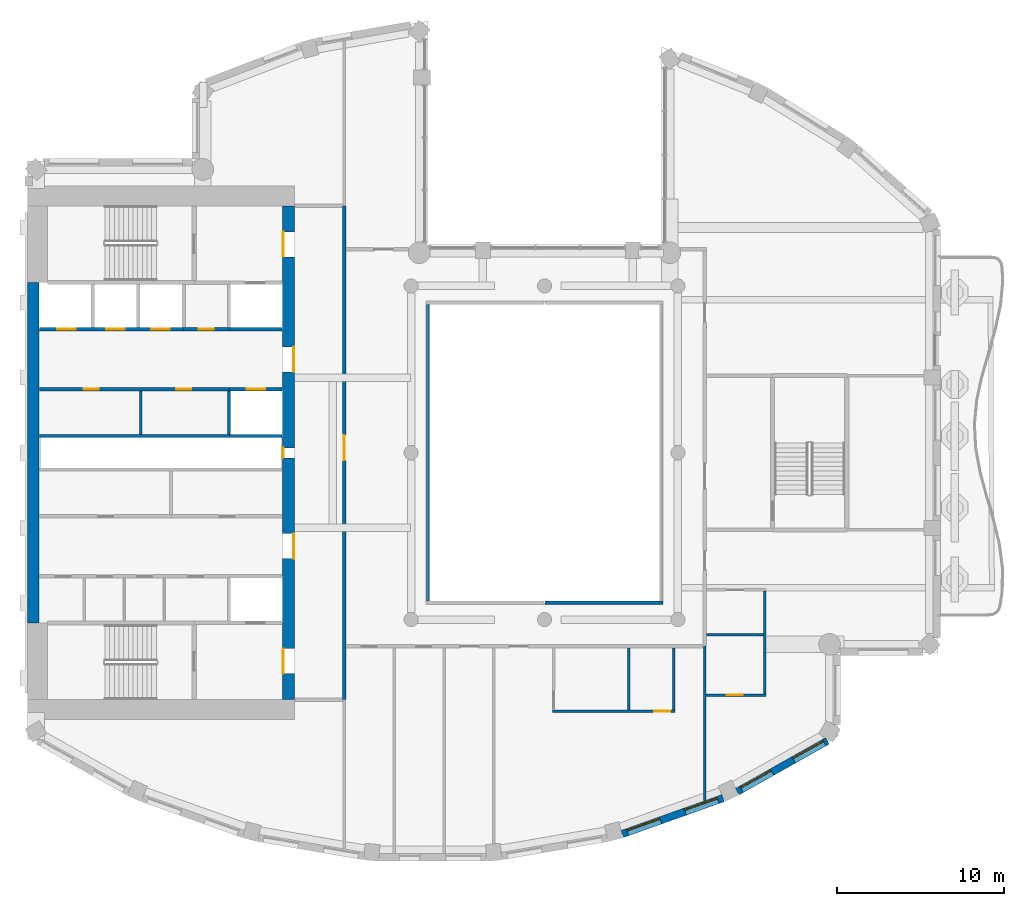
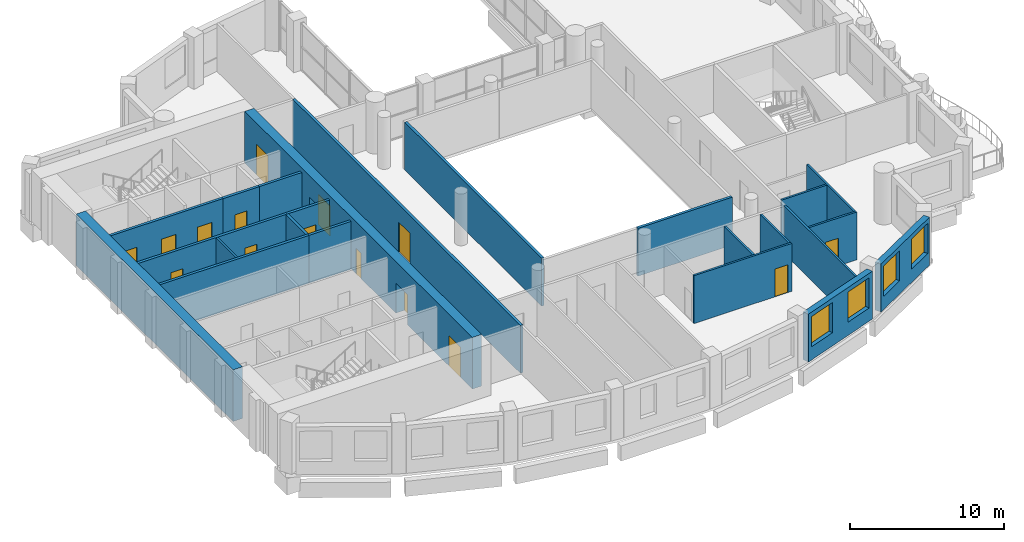
# One storey, part 6 of 15: 23 walls, 15 doors, 4 windows, 19 openings.
"""IFC4 building model written with IfcOpenShell, lengths in metres."""

from ifc_helpers import new_model, si_unit, direction, frame, frame_2d, origin, place, context, subcontext, project, spatial, rectangle, extrude, material, layer, layer_set, type_object, element, fill, save


model = new_model("IFC4")

# Units and contexts
model_context = context("Model", 3, precision=1e-05, world=origin(), true_north=direction((0.0, 1.0)))
body_context = subcontext(model_context, "Body", "Model", "MODEL_VIEW")
ifc_project = project(units=[si_unit("LENGTHUNIT", "METRE"), si_unit("AREAUNIT", "SQUARE_METRE"), si_unit("VOLUMEUNIT", "CUBIC_METRE"), si_unit("PLANEANGLEUNIT", "RADIAN"), si_unit("MASSUNIT", "GRAM", prefix="KILO")], contexts=[model_context])

# Site, building, storey
site_placement = place(None, origin())
site = spatial("IfcSite", under=ifc_project, at=site_placement, CompositionType="ELEMENT")
building_placement = place(site_placement, origin())
building = spatial("IfcBuilding", under=site, at=building_placement, Name="Cypress Arch Tower", CompositionType="ELEMENT")
storey_placement = place(building_placement, frame((0.0, 0.0, 243.39990234375)))
storey = spatial("IfcBuildingStorey", under=building, at=storey_placement, Name="L54", CompositionType="ELEMENT", Elevation=243.39990234375)

# Wall, openings, windows
ifc_material_1 = material(Name="Brick (red buff blend)", Category="masonry")
ifc_layer_1 = layer(ifc_material_1, 0.449951171875)
ifc_layer_set_1 = layer_set([ifc_layer_1], Name="Brick pier and spandrel wall BW450")
wall_type_1 = type_object("IfcWallType", Name="Brick pier and spandrel wall BW450", PredefinedType="SOLIDWALL", material=ifc_layer_set_1)
wall_1_placement = place(storey_placement, frame((5.66455078125, -22.859375, 0.0), z_axis=(0.0, 0.0, 1.0), x_axis=(0.942108340262, 0.335308626803, 0.0)))
wall_1 = element("IfcWall", 1, at=wall_1_placement, inside=storey, type_object=wall_type_1, Name="Brick wall L54 C13.0", PredefinedType="SOLIDWALL", context=body_context, shape_type="SweptSolid", body=[
    extrude(rectangle(XDim=6.41162109375, YDim=0.449951171875, at=frame_2d((3.205810546875, 0.0))), origin(), (0.0, 0.0, 1.0), 3.800048828125),
])
opening_1_placement = place(wall_1_placement, frame((0.3271484375, 0.0, 1.050048828125)))
opening_1 = element("IfcOpeningElement", 2, at=opening_1_placement, cuts=wall_1, Name="Opening W210O", PredefinedType="OPENING", context=body_context, shape_type="SweptSolid", body=[
    extrude(rectangle(XDim=2.10009765625, YDim=2.39990234375, at=frame_2d((1.050048828125, 1.199951171875))), frame((0.0, 0.23486328125, 0.0), z_axis=(0.0, -1.0, 0.0), x_axis=(1.0, 0.0, 0.0)), (0.0, 0.0, 1.0), 0.469970703125),
])
opening_2_placement = place(wall_1_placement, frame((3.984619140625, 0.0, 1.050048828125)))
opening_2 = element("IfcOpeningElement", 3, at=opening_2_placement, cuts=wall_1, Name="Opening W210O", PredefinedType="OPENING", context=body_context, shape_type="SweptSolid", body=[
    extrude(rectangle(XDim=2.10009765625, YDim=2.39990234375, at=frame_2d((1.050048828125, 1.199951171875))), frame((0.0, 0.23486328125, 0.0), z_axis=(0.0, -1.0, 0.0), x_axis=(1.0, 0.0, 0.0)), (0.0, 0.0, 1.0), 0.469970703125),
])
ifc_material_2 = material(Name="Anodised aluminium, bronze finish, clear low-emissivity double glazing", Category="aluminium")
window_type = type_object("IfcWindowType", Name="Window Office 2100x2400", PartitioningType="SINGLE_PANEL", PredefinedType="WINDOW", material=ifc_material_2)
window_1_placement = place(opening_1_placement, origin())
window_1 = element("IfcWindow", 4, at=window_1_placement, inside=storey, type_object=window_type, Name="Window L54 C13.0.1", OverallHeight=2.39990234375, OverallWidth=2.10009765625, PartitioningType="SINGLE_PANEL", PredefinedType="WINDOW", context=body_context, shape_type="SweptSolid", body=[
    extrude(rectangle(XDim=2.10009765625, YDim=2.39990234375, at=frame_2d((1.050048828125, 1.199951171875))), frame((0.0, 0.135009765625, 0.0), z_axis=(0.0, -1.0, 0.0), x_axis=(1.0, 0.0, 0.0)), (0.0, 0.0, 1.0), 0.06005859375),
])
fill(opening_1, window_1)
window_2_placement = place(opening_2_placement, origin())
window_2 = element("IfcWindow", 5, at=window_2_placement, inside=storey, type_object=window_type, Name="Window L54 C13.0.2", OverallHeight=2.39990234375, OverallWidth=2.10009765625, PartitioningType="SINGLE_PANEL", PredefinedType="WINDOW", context=body_context, shape_type="SweptSolid", body=[
    extrude(rectangle(XDim=2.10009765625, YDim=2.39990234375, at=frame_2d((1.050048828125, 1.199951171875))), frame((0.0, 0.135009765625, 0.0), z_axis=(0.0, -1.0, 0.0), x_axis=(1.0, 0.0, 0.0)), (0.0, 0.0, 1.0), 0.06005859375),
])
fill(opening_2, window_2)

wall_2_placement = place(storey_placement, frame((12.55908203125, -20.320068359375, 0.0), z_axis=(0.0, 0.0, 1.0), x_axis=(0.871065783524, 0.491166367714, 0.0)))
wall_2 = element("IfcWall", 6, at=wall_2_placement, inside=storey, type_object=wall_type_1, Name="Brick wall L54 C14.0", PredefinedType="SOLIDWALL", context=body_context, shape_type="SweptSolid", body=[
    extrude(rectangle(XDim=6.1962890625, YDim=0.449951171875, at=frame_2d((3.09814453125, 0.0))), origin(), (0.0, 0.0, 1.0), 3.800048828125),
])
opening_3_placement = place(wall_2_placement, frame((0.29052734375, 0.0, 1.050048828125)))
opening_3 = element("IfcOpeningElement", 7, at=opening_3_placement, cuts=wall_2, Name="Opening W210O", PredefinedType="OPENING", context=body_context, shape_type="SweptSolid", body=[
    extrude(rectangle(XDim=2.10009765625, YDim=2.39990234375, at=frame_2d((1.050048828125, 1.199951171875))), frame((0.0, 0.23486328125, 0.0), z_axis=(0.0, -1.0, 0.0), x_axis=(1.0, 0.0, 0.0)), (0.0, 0.0, 1.0), 0.469970703125),
])
opening_4_placement = place(wall_2_placement, frame((3.875244140625, 0.0, 1.050048828125)))
opening_4 = element("IfcOpeningElement", 8, at=opening_4_placement, cuts=wall_2, Name="Opening W210O", PredefinedType="OPENING", context=body_context, shape_type="SweptSolid", body=[
    extrude(rectangle(XDim=2.10009765625, YDim=2.39990234375, at=frame_2d((1.050048828125, 1.199951171875))), frame((0.0, 0.23486328125, 0.0), z_axis=(0.0, -1.0, 0.0), x_axis=(1.0, 0.0, 0.0)), (0.0, 0.0, 1.0), 0.469970703125),
])
window_3_placement = place(opening_3_placement, origin())
window_3 = element("IfcWindow", 9, at=window_3_placement, inside=storey, type_object=window_type, Name="Window L54 C14.0.1", OverallHeight=2.39990234375, OverallWidth=2.10009765625, PartitioningType="SINGLE_PANEL", PredefinedType="WINDOW", context=body_context, shape_type="SweptSolid", body=[
    extrude(rectangle(XDim=2.10009765625, YDim=2.39990234375, at=frame_2d((1.050048828125, 1.199951171875))), frame((0.0, 0.135009765625, 0.0), z_axis=(0.0, -1.0, 0.0), x_axis=(1.0, 0.0, 0.0)), (0.0, 0.0, 1.0), 0.06005859375),
])
fill(opening_3, window_3)
window_4_placement = place(opening_4_placement, origin())
window_4 = element("IfcWindow", 10, at=window_4_placement, inside=storey, type_object=window_type, Name="Window L54 C14.0.2", OverallHeight=2.39990234375, OverallWidth=2.10009765625, PartitioningType="SINGLE_PANEL", PredefinedType="WINDOW", context=body_context, shape_type="SweptSolid", body=[
    extrude(rectangle(XDim=2.10009765625, YDim=2.39990234375, at=frame_2d((1.050048828125, 1.199951171875))), frame((0.0, 0.135009765625, 0.0), z_axis=(0.0, -1.0, 0.0), x_axis=(1.0, 0.0, 0.0)), (0.0, 0.0, 1.0), 0.06005859375),
])
fill(opening_4, window_4)

# Wall, openings, doors
ifc_material_3 = material(Name="Concrete C60/75", Category="concrete")
ifc_layer_2 = layer(ifc_material_3, 0.699951171875)
ifc_layer_set_2 = layer_set([ifc_layer_2], Name="Core wall CW700 C60/75")
wall_type_2 = type_object("IfcWallType", Name="Core wall CW700 C60/75", PredefinedType="SHEAR", material=ifc_layer_set_2)
wall_3_placement = place(storey_placement, frame((-14.35009765625, -14.800048828125, 0.0), z_axis=(0.0, 0.0, 1.0), x_axis=(0.0, 1.0, 0.0)))
wall_3 = element("IfcWall", 11, at=wall_3_placement, inside=storey, type_object=wall_type_2, Name="Core wall", PredefinedType="SHEAR", context=body_context, shape_type="SweptSolid", body=[
    extrude(rectangle(XDim=29.60009765625, YDim=0.699951171875, at=frame_2d((14.800048828125, 0.0))), origin(), (0.0, 0.0, 1.0), 4.10009765625),
])
opening_5_placement = place(wall_3_placement, frame((1.550048828125, 0.0, 0.0)))
opening_5 = element("IfcOpeningElement", 12, at=opening_5_placement, cuts=wall_3, Name="Opening D07", PredefinedType="OPENING", context=body_context, shape_type="SweptSolid", body=[
    extrude(rectangle(XDim=1.5, YDim=2.39990234375, at=frame_2d((0.75, 1.199951171875))), frame((0.0, 0.35986328125, 0.0), z_axis=(0.0, -1.0, 0.0), x_axis=(1.0, 0.0, 0.0)), (0.0, 0.0, 1.0), 0.719970703125),
])
opening_6_placement = place(wall_3_placement, frame((26.550048828125, 0.0, 0.0)))
opening_6 = element("IfcOpeningElement", 13, at=opening_6_placement, cuts=wall_3, Name="Opening D07", PredefinedType="OPENING", context=body_context, shape_type="SweptSolid", body=[
    extrude(rectangle(XDim=1.5, YDim=2.39990234375, at=frame_2d((0.75, 1.199951171875))), frame((0.0, 0.35986328125, 0.0), z_axis=(0.0, -1.0, 0.0), x_axis=(1.0, 0.0, 0.0)), (0.0, 0.0, 1.0), 0.719970703125),
])
opening_7_placement = place(wall_3_placement, frame((8.449951171875, 0.0, 0.0)))
opening_7 = element("IfcOpeningElement", 14, at=opening_7_placement, cuts=wall_3, Name="Opening D07", PredefinedType="OPENING", context=body_context, shape_type="SweptSolid", body=[
    extrude(rectangle(XDim=1.5, YDim=2.39990234375, at=frame_2d((0.75, 1.199951171875))), frame((0.0, 0.35986328125, 0.0), z_axis=(0.0, -1.0, 0.0), x_axis=(1.0, 0.0, 0.0)), (0.0, 0.0, 1.0), 0.719970703125),
])
opening_8_placement = place(wall_3_placement, frame((19.64990234375, 0.0, 0.0)))
opening_8 = element("IfcOpeningElement", 15, at=opening_8_placement, cuts=wall_3, Name="Opening D07", PredefinedType="OPENING", context=body_context, shape_type="SweptSolid", body=[
    extrude(rectangle(XDim=1.5, YDim=2.39990234375, at=frame_2d((0.75, 1.199951171875))), frame((0.0, 0.35986328125, 0.0), z_axis=(0.0, -1.0, 0.0), x_axis=(1.0, 0.0, 0.0)), (0.0, 0.0, 1.0), 0.719970703125),
])
opening_9_placement = place(wall_3_placement, frame((14.5, 0.0, 0.0)))
opening_9 = element("IfcOpeningElement", 16, at=opening_9_placement, cuts=wall_3, Name="Opening D08", PredefinedType="OPENING", context=body_context, shape_type="SweptSolid", body=[
    extrude(rectangle(XDim=0.60009765625, YDim=2.0, at=frame_2d((0.300048828125, 1.0))), frame((0.0, 0.35986328125, 0.0), z_axis=(0.0, -1.0, 0.0), x_axis=(1.0, 0.0, 0.0)), (0.0, 0.0, 1.0), 0.719970703125),
])
ifc_material_4 = material(Name="Steel framed glazed door, fire resisting", Category="steel")
door_type_1 = type_object("IfcDoorType", Name="Lobby door D07 1500x2400", OperationType="DOUBLE_DOOR_SINGLE_SWING", PredefinedType="DOOR", material=ifc_material_4)
door_1_placement = place(opening_5_placement, origin())
door_1 = element("IfcDoor", 17, at=door_1_placement, inside=storey, type_object=door_type_1, Name="Lobby door", OperationType="DOUBLE_DOOR_SINGLE_SWING", OverallHeight=2.39990234375, OverallWidth=1.5, PredefinedType="DOOR", context=body_context, shape_type="SweptSolid", body=[
    extrude(rectangle(XDim=1.5, YDim=2.39990234375, at=frame_2d((0.75, 1.199951171875))), frame((0.0, 0.34521484375, 0.0), z_axis=(0.0, -1.0, 0.0), x_axis=(1.0, 0.0, 0.0)), (0.0, 0.0, 1.0), 0.050048828125),
])
fill(opening_5, door_1)
door_2_placement = place(opening_6_placement, origin())
door_2 = element("IfcDoor", 18, at=door_2_placement, inside=storey, type_object=door_type_1, Name="Lobby door", OperationType="DOUBLE_DOOR_SINGLE_SWING", OverallHeight=2.39990234375, OverallWidth=1.5, PredefinedType="DOOR", context=body_context, shape_type="SweptSolid", body=[
    extrude(rectangle(XDim=1.5, YDim=2.39990234375, at=frame_2d((0.75, 1.199951171875))), frame((0.0, 0.34521484375, 0.0), z_axis=(0.0, -1.0, 0.0), x_axis=(1.0, 0.0, 0.0)), (0.0, 0.0, 1.0), 0.050048828125),
])
fill(opening_6, door_2)
door_3_placement = place(opening_7_placement, origin())
door_3 = element("IfcDoor", 19, at=door_3_placement, inside=storey, type_object=door_type_1, Name="Lobby door", OperationType="DOUBLE_DOOR_SINGLE_SWING", OverallHeight=2.39990234375, OverallWidth=1.5, PredefinedType="DOOR", context=body_context, shape_type="SweptSolid", body=[
    extrude(rectangle(XDim=1.5, YDim=2.39990234375, at=frame_2d((0.75, 1.199951171875))), frame((0.0, -0.294921875, 0.0), z_axis=(0.0, -1.0, 0.0), x_axis=(1.0, 0.0, 0.0)), (0.0, 0.0, 1.0), 0.050048828125),
])
fill(opening_7, door_3)
door_4_placement = place(opening_8_placement, origin())
door_4 = element("IfcDoor", 20, at=door_4_placement, inside=storey, type_object=door_type_1, Name="Lobby door", OperationType="DOUBLE_DOOR_SINGLE_SWING", OverallHeight=2.39990234375, OverallWidth=1.5, PredefinedType="DOOR", context=body_context, shape_type="SweptSolid", body=[
    extrude(rectangle(XDim=1.5, YDim=2.39990234375, at=frame_2d((0.75, 1.199951171875))), frame((0.0, -0.294921875, 0.0), z_axis=(0.0, -1.0, 0.0), x_axis=(1.0, 0.0, 0.0)), (0.0, 0.0, 1.0), 0.050048828125),
])
fill(opening_8, door_4)
ifc_material_5 = material(Name="Steel access door, fire resisting", Category="steel")
door_type_2 = type_object("IfcDoorType", Name="Riser access door D08 600x2000", OperationType="SINGLE_SWING_LEFT", PredefinedType="DOOR", material=ifc_material_5)
door_5_placement = place(opening_9_placement, origin())
door_5 = element("IfcDoor", 21, at=door_5_placement, inside=storey, type_object=door_type_2, Name="Riser access door", OperationType="SINGLE_SWING_RIGHT", OverallHeight=2.0, OverallWidth=0.60009765625, PredefinedType="DOOR", context=body_context, shape_type="SweptSolid", body=[
    extrude(rectangle(XDim=0.60009765625, YDim=2.0, at=frame_2d((0.300048828125, 1.0))), frame((0.0, 0.34521484375, 0.0), z_axis=(0.0, -1.0, 0.0), x_axis=(1.0, 0.0, 0.0)), (0.0, 0.0, 1.0), 0.050048828125),
])
fill(opening_9, door_5)

# Wall
wall_4_placement = place(storey_placement, frame((-29.64990234375, -10.199951171875, 0.0), z_axis=(0.0, 0.0, 1.0), x_axis=(0.0, 1.0, 0.0)))
element("IfcWall", 22, at=wall_4_placement, inside=storey, type_object=wall_type_2, Name="Core wall", PredefinedType="SHEAR", context=body_context, shape_type="SweptSolid", body=[
    extrude(rectangle(XDim=20.39990234375, YDim=0.699951171875, at=frame_2d((10.199951171875, 0.0))), origin(), (0.0, 0.0, 1.0), 4.10009765625),
])

# Wall, openings, doors
ifc_material_6 = material(Name="Concrete blockwork, plastered, rated", Category="masonry")
ifc_layer_3 = layer(ifc_material_6, 0.199951171875)
ifc_layer_set_3 = layer_set([ifc_layer_3], Name="Corridor wall FW200")
wall_type_3 = type_object("IfcWallType", Name="Corridor wall FW200", PredefinedType="PARTITIONING", material=ifc_layer_set_3)
wall_5_placement = place(storey_placement, frame((-29.27001953125, 3.800048828125, 0.0), z_axis=(0.0, 0.0, 1.0), x_axis=(1.0, 0.0, 0.0)))
wall_5 = element("IfcWall", 23, at=wall_5_placement, inside=storey, type_object=wall_type_3, Name="Corridor wall", PredefinedType="PARTITIONING", context=body_context, shape_type="SweptSolid", body=[
    extrude(rectangle(XDim=11.3701171875, YDim=0.199951171875, at=frame_2d((5.68505859375, 0.0))), origin(), (0.0, 0.0, 1.0), 3.800048828125),
])
opening_10_placement = place(wall_5_placement, frame((2.64990234375, 0.0, 0.0)))
opening_10 = element("IfcOpeningElement", 24, at=opening_10_placement, cuts=wall_5, Name="Opening D05", PredefinedType="OPENING", context=body_context, shape_type="SweptSolid", body=[
    extrude(rectangle(XDim=0.89990234375, YDim=2.199951171875, at=frame_2d((0.449951171875, 1.10009765625))), frame((0.0, 0.10986328125, 0.0), z_axis=(0.0, -1.0, 0.0), x_axis=(1.0, 0.0, 0.0)), (0.0, 0.0, 1.0), 0.219970703125),
])
opening_11_placement = place(wall_5_placement, frame((8.199951171875, 0.0, 0.0)))
opening_11 = element("IfcOpeningElement", 25, at=opening_11_placement, cuts=wall_5, Name="Opening D05", PredefinedType="OPENING", context=body_context, shape_type="SweptSolid", body=[
    extrude(rectangle(XDim=0.89990234375, YDim=2.199951171875, at=frame_2d((0.449951171875, 1.10009765625))), frame((0.0, 0.10986328125, 0.0), z_axis=(0.0, -1.0, 0.0), x_axis=(1.0, 0.0, 0.0)), (0.0, 0.0, 1.0), 0.219970703125),
])
ifc_material_7 = material(Name="Timber flush door", Category="wood")
door_type_3 = type_object("IfcDoorType", Name="Service door D05 900x2200", OperationType="SINGLE_SWING_LEFT", PredefinedType="DOOR", material=ifc_material_7)
door_6_placement = place(opening_10_placement, origin())
door_6 = element("IfcDoor", 26, at=door_6_placement, inside=storey, type_object=door_type_3, Name="Service door", OperationType="SINGLE_SWING_LEFT", OverallHeight=2.199951171875, OverallWidth=0.89990234375, PredefinedType="DOOR", context=body_context, shape_type="SweptSolid", body=[
    extrude(rectangle(XDim=0.89990234375, YDim=2.199951171875, at=frame_2d((0.449951171875, 1.10009765625))), frame((0.0, 0.02490234375, 0.0), z_axis=(0.0, -1.0, 0.0), x_axis=(1.0, 0.0, 0.0)), (0.0, 0.0, 1.0), 0.050048828125),
])
fill(opening_10, door_6)
door_7_placement = place(opening_11_placement, origin())
door_7 = element("IfcDoor", 27, at=door_7_placement, inside=storey, type_object=door_type_3, Name="Service door", OperationType="SINGLE_SWING_RIGHT", OverallHeight=2.199951171875, OverallWidth=0.89990234375, PredefinedType="DOOR", context=body_context, shape_type="SweptSolid", body=[
    extrude(rectangle(XDim=0.89990234375, YDim=2.199951171875, at=frame_2d((0.449951171875, 1.10009765625))), frame((0.0, 0.02490234375, 0.0), z_axis=(0.0, -1.0, 0.0), x_axis=(1.0, 0.0, 0.0)), (0.0, 0.0, 1.0), 0.050048828125),
])
fill(opening_11, door_7)

# Wall, opening, door
wall_6_placement = place(storey_placement, frame((-20.639892578125, 7.39990234375, 0.0), z_axis=(0.0, 0.0, 1.0), x_axis=(1.0, 0.0, 0.0)))
wall_6 = element("IfcWall", 28, at=wall_6_placement, inside=storey, type_object=wall_type_3, Name="Corridor wall", PredefinedType="PARTITIONING", context=body_context, shape_type="SweptSolid", body=[
    extrude(rectangle(XDim=2.719970703125, YDim=0.199951171875, at=frame_2d((1.35986328125, 0.0))), origin(), (0.0, 0.0, 1.0), 3.800048828125),
])
opening_12_placement = place(wall_6_placement, frame((0.89990234375, 0.0, 0.0)))
opening_12 = element("IfcOpeningElement", 29, at=opening_12_placement, cuts=wall_6, Name="Opening D05", PredefinedType="OPENING", context=body_context, shape_type="SweptSolid", body=[
    extrude(rectangle(XDim=0.89990234375, YDim=2.199951171875, at=frame_2d((0.449951171875, 1.10009765625))), frame((0.0, 0.10986328125, 0.0), z_axis=(0.0, -1.0, 0.0), x_axis=(1.0, 0.0, 0.0)), (0.0, 0.0, 1.0), 0.219970703125),
])
door_8_placement = place(opening_12_placement, origin())
door_8 = element("IfcDoor", 30, at=door_8_placement, inside=storey, type_object=door_type_3, Name="Service door", OperationType="SINGLE_SWING_LEFT", OverallHeight=2.199951171875, OverallWidth=0.89990234375, PredefinedType="DOOR", context=body_context, shape_type="SweptSolid", body=[
    extrude(rectangle(XDim=0.89990234375, YDim=2.199951171875, at=frame_2d((0.449951171875, 1.10009765625))), frame((0.0, 0.02490234375, 0.0), z_axis=(0.0, -1.0, 0.0), x_axis=(1.0, 0.0, 0.0)), (0.0, 0.0, 1.0), 0.050048828125),
])
fill(opening_12, door_8)

wall_7_placement = place(storey_placement, frame((-11.0, -14.800048828125, 0.0), z_axis=(0.0, 0.0, 1.0), x_axis=(0.0, 1.0, 0.0)))
wall_7 = element("IfcWall", 31, at=wall_7_placement, inside=storey, type_object=wall_type_3, Name="Corridor wall", PredefinedType="PARTITIONING", context=body_context, shape_type="SweptSolid", body=[
    extrude(rectangle(XDim=29.60009765625, YDim=0.199951171875, at=frame_2d((14.800048828125, 0.0))), origin(), (0.0, 0.0, 1.0), 3.800048828125),
])
opening_13_placement = place(wall_7_placement, frame((14.35009765625, 0.0, 0.0)))
opening_13 = element("IfcOpeningElement", 32, at=opening_13_placement, cuts=wall_7, Name="Opening D07", PredefinedType="OPENING", context=body_context, shape_type="SweptSolid", body=[
    extrude(rectangle(XDim=1.5, YDim=2.39990234375, at=frame_2d((0.75, 1.199951171875))), frame((0.0, 0.10986328125, 0.0), z_axis=(0.0, -1.0, 0.0), x_axis=(1.0, 0.0, 0.0)), (0.0, 0.0, 1.0), 0.219970703125),
])
door_9_placement = place(opening_13_placement, origin())
door_9 = element("IfcDoor", 33, at=door_9_placement, inside=storey, type_object=door_type_1, Name="Lobby door", OperationType="DOUBLE_DOOR_SINGLE_SWING", OverallHeight=2.39990234375, OverallWidth=1.5, PredefinedType="DOOR", context=body_context, shape_type="SweptSolid", body=[
    extrude(rectangle(XDim=1.5, YDim=2.39990234375, at=frame_2d((0.75, 1.199951171875))), frame((0.0, 0.02490234375, 0.0), z_axis=(0.0, -1.0, 0.0), x_axis=(1.0, 0.0, 0.0)), (0.0, 0.0, 1.0), 0.050048828125),
])
fill(opening_13, door_9)

# Walls
wall_8_placement = place(storey_placement, frame((-6.0, -8.89990234375, 0.0), z_axis=(0.0, 0.0, 1.0), x_axis=(0.0, 1.0, 0.0)))
element("IfcWall", 34, at=wall_8_placement, inside=storey, type_object=wall_type_3, Name="Corridor wall", PredefinedType="PARTITIONING", context=body_context, shape_type="SweptSolid", body=[
    extrude(rectangle(XDim=17.7998046875, YDim=0.199951171875, at=frame_2d((8.89990234375, 0.0))), origin(), (0.0, 0.0, 1.0), 3.800048828125),
])
wall_9_placement = place(storey_placement, frame((1.02001953125, -9.0, 0.0), z_axis=(0.0, 0.0, 1.0), x_axis=(1.0, 0.0, 0.0)))
element("IfcWall", 35, at=wall_9_placement, inside=storey, type_object=wall_type_3, Name="Corridor wall", PredefinedType="PARTITIONING", context=body_context, shape_type="SweptSolid", body=[
    extrude(rectangle(XDim=7.080078125, YDim=0.199951171875, at=frame_2d((3.5400390625, 0.0))), origin(), (0.0, 0.0, 1.0), 3.800048828125),
])
ifc_material_8 = material(Name="Blockwork, plastered both sides", Category="masonry")
ifc_layer_4 = layer(ifc_material_8, 0.14990234375)
ifc_layer_set_4 = layer_set([ifc_layer_4], Name="Partition PW150")
wall_type_4 = type_object("IfcWallType", Name="Partition PW150", PredefinedType="PARTITIONING", material=ifc_layer_set_4)
wall_10_placement = place(storey_placement, frame((-23.199951171875, 1.10009765625, 0.0), z_axis=(0.0, 0.0, 1.0), x_axis=(0.0, 1.0, 0.0)))
element("IfcWall", 36, at=wall_10_placement, inside=storey, type_object=wall_type_4, Name="Partition", PredefinedType="PARTITIONING", context=body_context, shape_type="SweptSolid", body=[
    extrude(rectangle(XDim=2.599853515625, YDim=0.14990234375, at=frame_2d((1.2998046875, 0.0))), origin(), (0.0, 0.0, 1.0), 3.800048828125),
])

# Wall, opening, door
wall_11_placement = place(storey_placement, frame((1.47900390625, -15.5, 0.0), z_axis=(0.0, 0.0, 1.0), x_axis=(1.0, 0.0, 0.0)))
wall_11 = element("IfcWall", 37, at=wall_11_placement, inside=storey, type_object=wall_type_4, Name="Partition", PredefinedType="PARTITIONING", context=body_context, shape_type="SweptSolid", body=[
    extrude(rectangle(XDim=7.35009765625, YDim=0.14990234375, at=frame_2d((3.675048828125, 0.0))), origin(), (0.0, 0.0, 1.0), 3.800048828125),
])
opening_14_placement = place(wall_11_placement, frame((6.10009765625, 0.0, 0.0)))
opening_14 = element("IfcOpeningElement", 38, at=opening_14_placement, cuts=wall_11, Name="Opening D12", PredefinedType="OPENING", context=body_context, shape_type="SweptSolid", body=[
    extrude(rectangle(XDim=0.949951171875, YDim=2.199951171875, at=frame_2d((0.47509765625, 1.10009765625))), frame((0.0, 0.0849609375, 0.0), z_axis=(0.0, -1.0, 0.0), x_axis=(1.0, 0.0, 0.0)), (0.0, 0.0, 1.0), 0.169921875),
])
ifc_material_9 = material(Name="Timber flush door", Category="wood")
door_type_4 = type_object("IfcDoorType", Name="Room door D12 950x2200", OperationType="SINGLE_SWING_LEFT", PredefinedType="DOOR", material=ifc_material_9)
door_10_placement = place(opening_14_placement, origin())
door_10 = element("IfcDoor", 39, at=door_10_placement, inside=storey, type_object=door_type_4, Name="Room door", OperationType="SINGLE_SWING_LEFT", OverallHeight=2.199951171875, OverallWidth=0.949951171875, PredefinedType="DOOR", context=body_context, shape_type="SweptSolid", body=[
    extrude(rectangle(XDim=0.949951171875, YDim=2.199951171875, at=frame_2d((0.47509765625, 1.10009765625))), frame((0.0, 0.02490234375, 0.0), z_axis=(0.0, -1.0, 0.0), x_axis=(1.0, 0.0, 0.0)), (0.0, 0.0, 1.0), 0.050048828125),
])
fill(opening_14, door_10)

# Walls
for number, where, z_axis, x_axis, name in (
    (40, (6.053955078125, -15.425048828125, 0.0), (0.0, 0.0, 1.0), (0.0, 1.0, 0.0), "Partition"),
    (41, (8.75390625, -15.425048828125, 0.0), (0.0, 0.0, 1.0), (0.0, 1.0, 0.0), "Partition"),
):
    element("IfcWall", number, at=place(storey_placement, frame(where, z_axis=z_axis, x_axis=x_axis)), inside=storey, type_object=wall_type_4, Name=name, PredefinedType="PARTITIONING", context=body_context, shape_type="SweptSolid", body=[
        extrude(rectangle(XDim=3.72509765625, YDim=0.14990234375, at=frame_2d((1.862548828125, 0.0))), origin(), (0.0, 0.0, 1.0), 3.800048828125),
    ])
wall_12_placement = place(storey_placement, frame((10.60009765625, -20.864013671875, 0.0), z_axis=(0.0, 0.0, 1.0), x_axis=(0.0, 1.0, 0.0)))
element("IfcWall", 42, at=wall_12_placement, inside=storey, type_object=wall_type_4, Name="Partition", PredefinedType="PARTITIONING", context=body_context, shape_type="SweptSolid", body=[
    extrude(rectangle(XDim=9.263916015625, YDim=0.14990234375, at=frame_2d((4.6318359375, 0.0))), origin(), (0.0, 0.0, 1.0), 3.800048828125),
])

# Wall, opening, door
wall_13_placement = place(storey_placement, frame((10.675048828125, -14.52490234375, 0.0), z_axis=(0.0, 0.0, 1.0), x_axis=(1.0, 0.0, 0.0)))
wall_13 = element("IfcWall", 43, at=wall_13_placement, inside=storey, type_object=wall_type_4, Name="Partition", PredefinedType="PARTITIONING", context=body_context, shape_type="SweptSolid", body=[
    extrude(rectangle(XDim=3.599853515625, YDim=0.14990234375, at=frame_2d((1.7998046875, 0.0))), origin(), (0.0, 0.0, 1.0), 3.800048828125),
])
opening_15_placement = place(wall_13_placement, frame((1.25, 0.0, 0.0)))
opening_15 = element("IfcOpeningElement", 44, at=opening_15_placement, cuts=wall_13, Name="Opening D12", PredefinedType="OPENING", context=body_context, shape_type="SweptSolid", body=[
    extrude(rectangle(XDim=0.949951171875, YDim=2.199951171875, at=frame_2d((0.47509765625, 1.10009765625))), frame((0.0, 0.0849609375, 0.0), z_axis=(0.0, -1.0, 0.0), x_axis=(1.0, 0.0, 0.0)), (0.0, 0.0, 1.0), 0.169921875),
])
door_11_placement = place(opening_15_placement, origin())
door_11 = element("IfcDoor", 45, at=door_11_placement, inside=storey, type_object=door_type_4, Name="Room door", OperationType="SINGLE_SWING_RIGHT", OverallHeight=2.199951171875, OverallWidth=0.949951171875, PredefinedType="DOOR", context=body_context, shape_type="SweptSolid", body=[
    extrude(rectangle(XDim=0.949951171875, YDim=2.199951171875, at=frame_2d((0.47509765625, 1.10009765625))), frame((0.0, 0.02490234375, 0.0), z_axis=(0.0, -1.0, 0.0), x_axis=(1.0, 0.0, 0.0)), (0.0, 0.0, 1.0), 0.050048828125),
])
fill(opening_15, door_11)

# Walls
wall_14_placement = place(storey_placement, frame((10.699951171875, -10.925048828125, 0.0), z_axis=(0.0, 0.0, 1.0), x_axis=(1.0, 0.0, 0.0)))
element("IfcWall", 46, at=wall_14_placement, inside=storey, type_object=wall_type_4, Name="Partition", PredefinedType="PARTITIONING", context=body_context, shape_type="SweptSolid", body=[
    extrude(rectangle(XDim=3.425048828125, YDim=0.14990234375, at=frame_2d((1.71240234375, 0.0))), origin(), (0.0, 0.0, 1.0), 3.800048828125),
])
wall_15_placement = place(storey_placement, frame((14.199951171875, -14.449951171875, 0.0), z_axis=(0.0, 0.0, 1.0), x_axis=(0.0, 1.0, 0.0)))
element("IfcWall", 47, at=wall_15_placement, inside=storey, type_object=wall_type_4, Name="Partition", PredefinedType="PARTITIONING", context=body_context, shape_type="SweptSolid", body=[
    extrude(rectangle(XDim=6.14990234375, YDim=0.14990234375, at=frame_2d((3.074951171875, 0.0))), origin(), (0.0, 0.0, 1.0), 3.800048828125),
])
ifc_material_10 = material(Name="Reinforced blockwork, plastered, rated", Category="masonry")
ifc_layer_5 = layer(ifc_material_10, 0.199951171875)
ifc_layer_set_5 = layer_set([ifc_layer_5], Name="Plant and riser wall PL200")
wall_type_5 = type_object("IfcWallType", Name="Plant and riser wall PL200", PredefinedType="PARTITIONING", material=ifc_layer_set_5)
wall_16_placement = place(storey_placement, frame((-29.27001953125, 1.0, 0.0), z_axis=(0.0, 0.0, 1.0), x_axis=(1.0, 0.0, 0.0)))
element("IfcWall", 48, at=wall_16_placement, inside=storey, type_object=wall_type_5, Name="Plant and riser wall", PredefinedType="PARTITIONING", context=body_context, shape_type="SweptSolid", body=[
    extrude(rectangle(XDim=11.3701171875, YDim=0.199951171875, at=frame_2d((5.68505859375, 0.0))), origin(), (0.0, 0.0, 1.0), 3.800048828125),
])

# Wall, openings, doors
ifc_material_11 = material(Name="Concrete C50/60", Category="concrete")
ifc_layer_6 = layer(ifc_material_11, 0.199951171875)
ifc_layer_set_6 = layer_set([ifc_layer_6], Name="Shaft wall SH200")
wall_type_6 = type_object("IfcWallType", Name="Shaft wall SH200", PredefinedType="SHEAR", material=ifc_layer_set_6)
wall_17_placement = place(storey_placement, frame((-29.27001953125, 7.39990234375, 0.0), z_axis=(0.0, 0.0, 1.0), x_axis=(1.0, 0.0, 0.0)))
wall_17 = element("IfcWall", 49, at=wall_17_placement, inside=storey, type_object=wall_type_6, Name="Shaft wall", PredefinedType="SHEAR", context=body_context, shape_type="SweptSolid", body=[
    extrude(rectangle(XDim=8.630126953125, YDim=0.199951171875, at=frame_2d((4.31494140625, 0.0))), origin(), (0.0, 0.0, 1.0), 3.800048828125),
])
opening_16_placement = place(wall_17_placement, frame((1.050048828125, 0.0, 0.0)))
opening_16 = element("IfcOpeningElement", 50, at=opening_16_placement, cuts=wall_17, Name="Opening LD-HR5", PredefinedType="OPENING", context=body_context, shape_type="SweptSolid", body=[
    extrude(rectangle(XDim=1.10009765625, YDim=2.199951171875, at=frame_2d((0.550048828125, 1.10009765625))), frame((0.0, 0.10986328125, 0.0), z_axis=(0.0, -1.0, 0.0), x_axis=(1.0, 0.0, 0.0)), (0.0, 0.0, 1.0), 0.219970703125),
])
opening_17_placement = place(wall_17_placement, frame((4.0, 0.0, 0.0)))
opening_17 = element("IfcOpeningElement", 51, at=opening_17_placement, cuts=wall_17, Name="Opening LD-HR6", PredefinedType="OPENING", context=body_context, shape_type="SweptSolid", body=[
    extrude(rectangle(XDim=1.10009765625, YDim=2.199951171875, at=frame_2d((0.550048828125, 1.10009765625))), frame((0.0, 0.10986328125, 0.0), z_axis=(0.0, -1.0, 0.0), x_axis=(1.0, 0.0, 0.0)), (0.0, 0.0, 1.0), 0.219970703125),
])
opening_18_placement = place(wall_17_placement, frame((6.699951171875, 0.0, 0.0)))
opening_18 = element("IfcOpeningElement", 52, at=opening_18_placement, cuts=wall_17, Name="Opening LD-HR7", PredefinedType="OPENING", context=body_context, shape_type="SweptSolid", body=[
    extrude(rectangle(XDim=1.10009765625, YDim=2.199951171875, at=frame_2d((0.550048828125, 1.10009765625))), frame((0.0, 0.10986328125, 0.0), z_axis=(0.0, -1.0, 0.0), x_axis=(1.0, 0.0, 0.0)), (0.0, 0.0, 1.0), 0.219970703125),
])
ifc_material_12 = material(Name="Stainless steel centre-opening landing door, rated", Category="steel")
door_type_5 = type_object("IfcDoorType", Name="Lift landing door LD 1100x2200", OperationType="DOUBLE_DOOR_SLIDING", PredefinedType="DOOR", material=ifc_material_12)
door_12_placement = place(opening_16_placement, origin())
door_12 = element("IfcDoor", 53, at=door_12_placement, inside=storey, type_object=door_type_5, Name="Lift landing doors HR5", OperationType="DOUBLE_DOOR_SLIDING", OverallHeight=2.199951171875, OverallWidth=1.10009765625, PredefinedType="DOOR", context=body_context, shape_type="SweptSolid", body=[
    extrude(rectangle(XDim=1.10009765625, YDim=2.199951171875, at=frame_2d((0.550048828125, 1.10009765625))), frame((0.0, 0.02490234375, 0.0), z_axis=(0.0, -1.0, 0.0), x_axis=(1.0, 0.0, 0.0)), (0.0, 0.0, 1.0), 0.050048828125),
])
fill(opening_16, door_12)
door_13_placement = place(opening_17_placement, origin())
door_13 = element("IfcDoor", 54, at=door_13_placement, inside=storey, type_object=door_type_5, Name="Lift landing doors HR6", OperationType="DOUBLE_DOOR_SLIDING", OverallHeight=2.199951171875, OverallWidth=1.10009765625, PredefinedType="DOOR", context=body_context, shape_type="SweptSolid", body=[
    extrude(rectangle(XDim=1.10009765625, YDim=2.199951171875, at=frame_2d((0.550048828125, 1.10009765625))), frame((0.0, 0.02490234375, 0.0), z_axis=(0.0, -1.0, 0.0), x_axis=(1.0, 0.0, 0.0)), (0.0, 0.0, 1.0), 0.050048828125),
])
fill(opening_17, door_13)
door_14_placement = place(opening_18_placement, origin())
door_14 = element("IfcDoor", 55, at=door_14_placement, inside=storey, type_object=door_type_5, Name="Lift landing doors HR7", OperationType="DOUBLE_DOOR_SLIDING", OverallHeight=2.199951171875, OverallWidth=1.10009765625, PredefinedType="DOOR", context=body_context, shape_type="SweptSolid", body=[
    extrude(rectangle(XDim=1.10009765625, YDim=2.199951171875, at=frame_2d((0.550048828125, 1.10009765625))), frame((0.0, 0.02490234375, 0.0), z_axis=(0.0, -1.0, 0.0), x_axis=(1.0, 0.0, 0.0)), (0.0, 0.0, 1.0), 0.050048828125),
])
fill(opening_18, door_14)

# Walls
wall_18_placement = place(storey_placement, frame((-17.919921875, 1.10009765625, 0.0), z_axis=(0.0, 0.0, 1.0), x_axis=(0.0, 1.0, 0.0)))
element("IfcWall", 56, at=wall_18_placement, inside=storey, type_object=wall_type_6, Name="Shaft wall", PredefinedType="SHEAR", context=body_context, shape_type="SweptSolid", body=[
    extrude(rectangle(XDim=2.599853515625, YDim=0.199951171875, at=frame_2d((1.2998046875, 0.0))), origin(), (0.0, 0.0, 1.0), 3.800048828125),
])
wall_19_placement = place(storey_placement, frame((-17.89990234375, 1.0, 0.0), z_axis=(0.0, 0.0, 1.0), x_axis=(1.0, 0.0, 0.0)))
element("IfcWall", 57, at=wall_19_placement, inside=storey, type_object=wall_type_6, Name="Shaft wall", PredefinedType="SHEAR", context=body_context, shape_type="SweptSolid", body=[
    extrude(rectangle(XDim=3.169921875, YDim=0.199951171875, at=frame_2d((1.5849609375, 0.0))), origin(), (0.0, 0.0, 1.0), 3.800048828125),
])

# Wall, opening, door
wall_20_placement = place(storey_placement, frame((-17.89990234375, 3.800048828125, 0.0), z_axis=(0.0, 0.0, 1.0), x_axis=(1.0, 0.0, 0.0)))
wall_20 = element("IfcWall", 58, at=wall_20_placement, inside=storey, type_object=wall_type_6, Name="Shaft wall", PredefinedType="SHEAR", context=body_context, shape_type="SweptSolid", body=[
    extrude(rectangle(XDim=3.169921875, YDim=0.199951171875, at=frame_2d((1.5849609375, 0.0))), origin(), (0.0, 0.0, 1.0), 3.800048828125),
])
opening_19_placement = place(wall_20_placement, frame((1.050048828125, 0.0, 0.0)))
opening_19 = element("IfcOpeningElement", 59, at=opening_19_placement, cuts=wall_20, Name="Opening LD-HR4", PredefinedType="OPENING", context=body_context, shape_type="SweptSolid", body=[
    extrude(rectangle(XDim=1.10009765625, YDim=2.199951171875, at=frame_2d((0.550048828125, 1.10009765625))), frame((0.0, 0.10986328125, 0.0), z_axis=(0.0, -1.0, 0.0), x_axis=(1.0, 0.0, 0.0)), (0.0, 0.0, 1.0), 0.219970703125),
])
door_15_placement = place(opening_19_placement, origin())
door_15 = element("IfcDoor", 60, at=door_15_placement, inside=storey, type_object=door_type_5, Name="Lift landing doors HR4", OperationType="DOUBLE_DOOR_SLIDING", OverallHeight=2.199951171875, OverallWidth=1.10009765625, PredefinedType="DOOR", context=body_context, shape_type="SweptSolid", body=[
    extrude(rectangle(XDim=1.10009765625, YDim=2.199951171875, at=frame_2d((0.550048828125, 1.10009765625))), frame((0.0, 0.02490234375, 0.0), z_axis=(0.0, -1.0, 0.0), x_axis=(1.0, 0.0, 0.0)), (0.0, 0.0, 1.0), 0.050048828125),
])
fill(opening_19, door_15)

# Wall
wall_21_placement = place(storey_placement, frame((-17.919921875, 7.39990234375, 0.0), z_axis=(0.0, 0.0, 1.0), x_axis=(1.0, 0.0, 0.0)))
element("IfcWall", 61, at=wall_21_placement, inside=storey, type_object=wall_type_6, Name="Shaft wall", PredefinedType="SHEAR", context=body_context, shape_type="SweptSolid", body=[
    extrude(rectangle(XDim=3.18994140625, YDim=0.199951171875, at=frame_2d((1.594970703125, 0.0))), origin(), (0.0, 0.0, 1.0), 3.800048828125),
])

save(model, "model.ifc")
